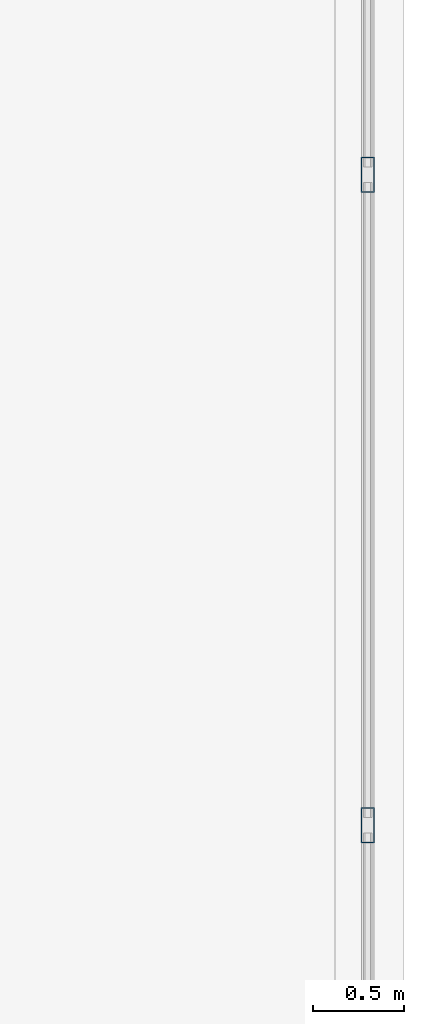
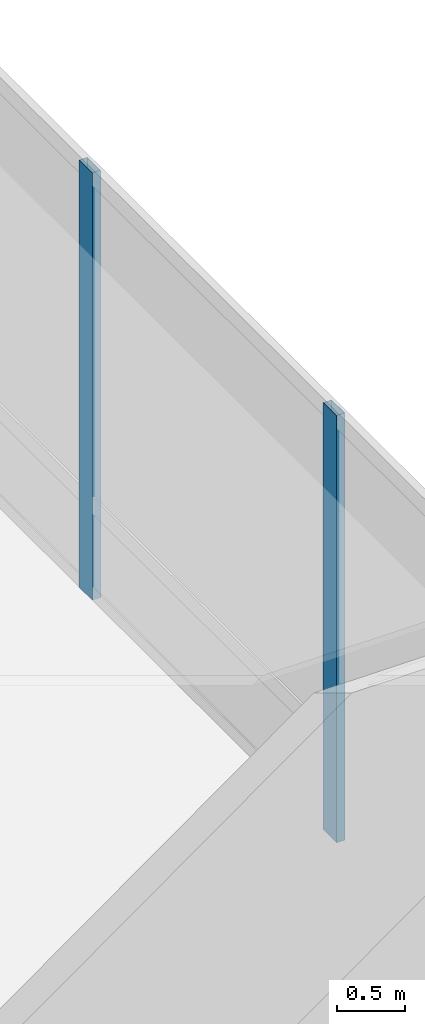
# One storey, part 16 of 37: 2 members, 1 element without a shape of its own.
"""IFC4 building model written with IfcOpenShell, lengths in metres."""

from ifc_helpers import new_model, si_unit, direction, frame, origin, origin_2d, place, context, subcontext, project, spatial, hollow_rectangle, extrude, material, material_profile, profile_set, type_object, element, aggregate, save


model = new_model("IFC4")

# Units and contexts
model_context = context("Model", 3, precision=1e-05, world=origin(), true_north=direction((0.0, 1.0)))
body_context = subcontext(model_context, "Body", "Model", "MODEL_VIEW")
ifc_project = project(units=[si_unit("LENGTHUNIT", "METRE"), si_unit("AREAUNIT", "SQUARE_METRE"), si_unit("VOLUMEUNIT", "CUBIC_METRE"), si_unit("PLANEANGLEUNIT", "RADIAN"), si_unit("MASSUNIT", "GRAM", prefix="KILO")], contexts=[model_context])

# Site, building, storey
site_placement = place(None, origin())
site = spatial("IfcSite", under=ifc_project, at=site_placement, CompositionType="ELEMENT")
building_placement = place(site_placement, origin())
building = spatial("IfcBuilding", under=site, at=building_placement, Name="Punatoya Terracotta Tower", CompositionType="ELEMENT")
storey_placement = place(building_placement, frame((0.0, 0.0, 224.85009765625)))
storey = spatial("IfcBuildingStorey", under=building, at=storey_placement, Name="L53", CompositionType="ELEMENT", Elevation=224.85009765625)

# Curtain wall, members
ifc_material_1 = material(Name="Aluminium 6063-T6 + Double Low-E Glass", Category="aluminium")
curtain_wall_type = type_object("IfcCurtainWallType", Name="CW-M2", PredefinedType="NOTDEFINED", material=ifc_material_1)
curtain_wall_placement = place(storey_placement, origin())
curtain_wall = element("IfcCurtainWall", 1, at=curtain_wall_placement, inside=storey, type_object=curtain_wall_type, Name="L53 Curtain Wall CW-L53-E04-1", PredefinedType="NOTDEFINED")
ifc_material_2 = material(Name="Aluminium 6063-T6", Category="aluminium")
ifc_material_profile = material_profile(ifc_material_2, hollow_rectangle(XDim=0.072021484375, YDim=0.195068359375, WallThickness=0.00439453125, at=origin_2d()))
ifc_profile_set = profile_set([ifc_material_profile], Name="Aluminium 6063-T6")
member_type = type_object("IfcMemberType", Name="CW-MUL-M2", PredefinedType="MULLION", material=ifc_profile_set)
member_1_placement = place(storey_placement, frame((24.85009765625, -13.2626953125, 0.0), z_axis=(0.0, 0.0, 1.0), x_axis=(1.0, 0.0, 0.0)))
member_1 = element("IfcMember", 2, at=member_1_placement, type_object=member_type, Name="CW-L53-E04-1 Mullion 01", PredefinedType="MULLION", context=body_context, shape_type="SweptSolid", body=[
    extrude(hollow_rectangle(XDim=0.072021484375, YDim=0.195068359375, WallThickness=0.00439453125, at=origin_2d()), origin(), (0.0, 0.0, 1.0), 3.829833984375),
])
member_2_placement = place(storey_placement, frame((24.85009765625, -9.675048828125, 0.0), z_axis=(0.0, 0.0, 1.0), x_axis=(1.0, 0.0, 0.0)))
member_2 = element("IfcMember", 3, at=member_2_placement, type_object=member_type, Name="CW-L53-E04-1 Mullion 02", PredefinedType="MULLION", context=body_context, shape_type="SweptSolid", body=[
    extrude(hollow_rectangle(XDim=0.072021484375, YDim=0.195068359375, WallThickness=0.00439453125, at=origin_2d()), origin(), (0.0, 0.0, 1.0), 3.829833984375),
])
aggregate(curtain_wall, [member_1, member_2])

save(model, "model.ifc")
